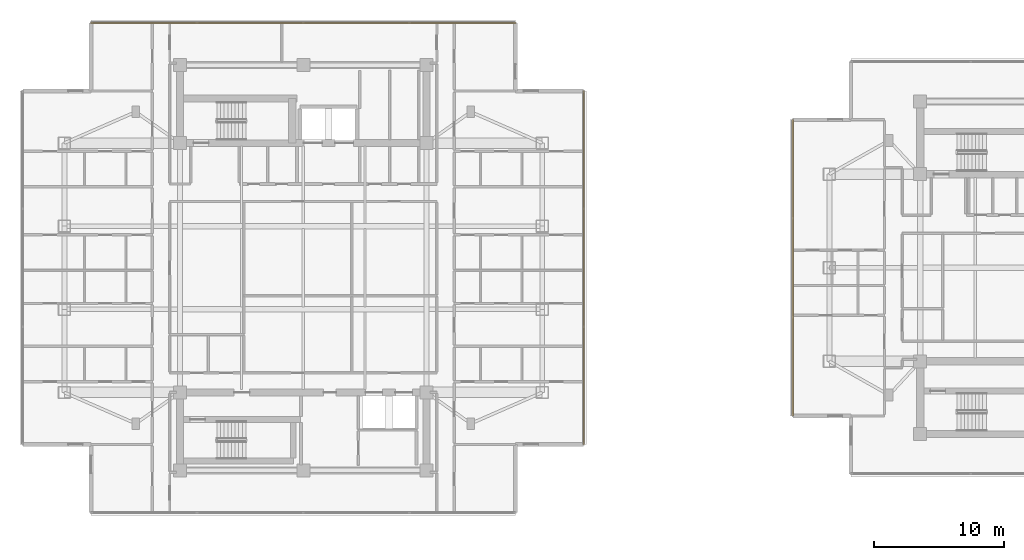
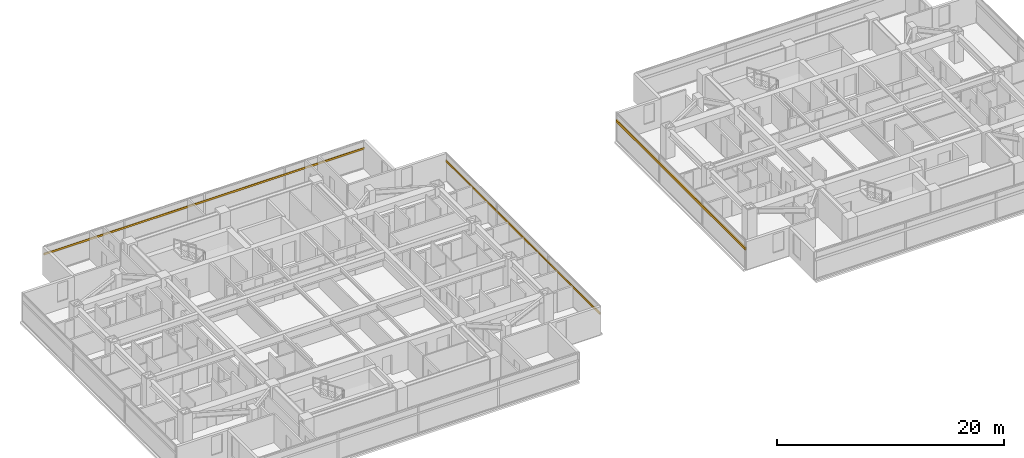
# One storey, part 22 of 25: 3 shading devices.
"""IFC4 building model written with IfcOpenShell, lengths in metres."""

from ifc_helpers import new_model, si_unit, direction, frame, origin, origin_2d, place, context, subcontext, project, spatial, rectangle, extrude, material, material_profile, profile_set, type_object, element, save


model = new_model("IFC4")

# Units and contexts
model_context = context("Model", 3, precision=1e-05, world=origin(), true_north=direction((0.0, 1.0)))
body_context = subcontext(model_context, "Body", "Model", "MODEL_VIEW")
ifc_project = project(units=[si_unit("LENGTHUNIT", "METRE"), si_unit("AREAUNIT", "SQUARE_METRE"), si_unit("VOLUMEUNIT", "CUBIC_METRE"), si_unit("PLANEANGLEUNIT", "RADIAN"), si_unit("MASSUNIT", "GRAM", prefix="KILO")], contexts=[model_context])

# Site, building, storey
site_placement = place(None, origin())
site = spatial("IfcSite", under=ifc_project, at=site_placement, CompositionType="ELEMENT")
building_placement = place(site_placement, origin())
building = spatial("IfcBuilding", under=site, at=building_placement, Name="Mirazonda Arch Towers", CompositionType="ELEMENT")
storey_placement = place(building_placement, frame((0.0, 0.0, 177.14990234375)))
storey = spatial("IfcBuildingStorey", under=building, at=storey_placement, Name="L50", CompositionType="ELEMENT", Elevation=177.14990234375)

# Shading devices
ifc_material = material(Name="Kiln-Fired Architectural Terracotta", Category="masonry")
ifc_material_profile_1 = material_profile(ifc_material, rectangle(XDim=0.10009765625, YDim=0.199951171875, at=origin_2d()), Name="TERRA-BAG-100x200")
ifc_profile_set_1 = profile_set([ifc_material_profile_1], Name="Kiln-Fired Architectural Terracotta")
shading_device_type_1 = type_object("IfcShadingDeviceType", Name="BAGUETTE-2", PredefinedType="USERDEFINED", material=ifc_profile_set_1)
shading_device_1_placement = place(storey_placement, frame((42.090087890625, 14.388916015625, 2.181640625), z_axis=(0.0, 1.0, 0.0), x_axis=(-1.0, 0.0, 0.0)))
element("IfcShadingDevice", 1, at=shading_device_1_placement, inside=storey, type_object=shading_device_type_1, Name="L50 Glazed Terracotta Sun-Screen Baguette CW-L50-T1-E", ObjectType="BAGUETTE", PredefinedType="USERDEFINED", context=body_context, shape_type="SweptSolid", body=[
    extrude(rectangle(XDim=0.10009765625, YDim=0.199951171875, at=origin_2d()), origin(), (0.0, 0.0, 1.0), 27.22216796875),
])
shading_device_2_placement = place(storey_placement, frame((4.155029296875, 46.85595703125, 2.181640625), z_axis=(1.0, 0.0, 0.0), x_axis=(0.0, 1.0, 0.0)))
element("IfcShadingDevice", 2, at=shading_device_2_placement, inside=storey, type_object=shading_device_type_1, Name="L50 Glazed Terracotta Sun-Screen Baguette CW-L50-T1-N", ObjectType="BAGUETTE", PredefinedType="USERDEFINED", context=body_context, shape_type="SweptSolid", body=[
    extrude(rectangle(XDim=0.10009765625, YDim=0.199951171875, at=origin_2d()), origin(), (0.0, 0.0, 1.0), 32.68994140625),
])
ifc_material_profile_2 = material_profile(ifc_material, rectangle(XDim=0.139892578125, YDim=0.280029296875, at=origin_2d()), Name="TERRA-BAG-140x280")
ifc_profile_set_2 = profile_set([ifc_material_profile_2], Name="Kiln-Fired Architectural Terracotta")
shading_device_type_2 = type_object("IfcShadingDeviceType", Name="BAGUETTE-3", PredefinedType="USERDEFINED", material=ifc_profile_set_2)
shading_device_3_placement = place(storey_placement, frame((58.201416015625, 39.409423828125, 2.181640625), z_axis=(0.0, -1.0, 0.0), x_axis=(1.0, 0.0, 0.0)))
element("IfcShadingDevice", 3, at=shading_device_3_placement, inside=storey, type_object=shading_device_type_2, Name="L50 Glazed Terracotta Sun-Screen Baguette CW-L50-T2-W", ObjectType="BAGUETTE", PredefinedType="USERDEFINED", context=body_context, shape_type="SweptSolid", body=[
    extrude(rectangle(XDim=0.139892578125, YDim=0.280029296875, at=origin_2d()), origin(), (0.0, 0.0, 1.0), 22.81884765625),
])

save(model, "model.ifc")
